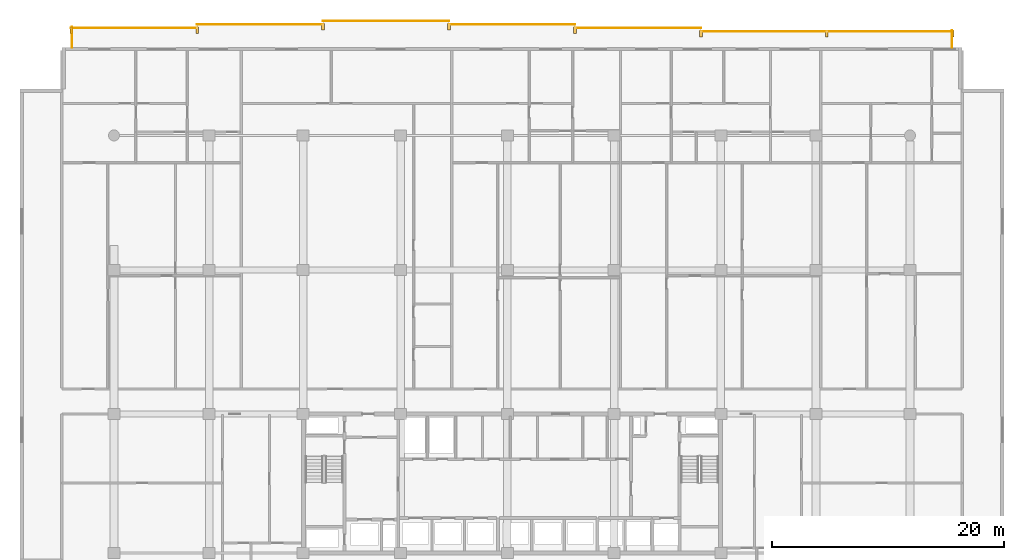
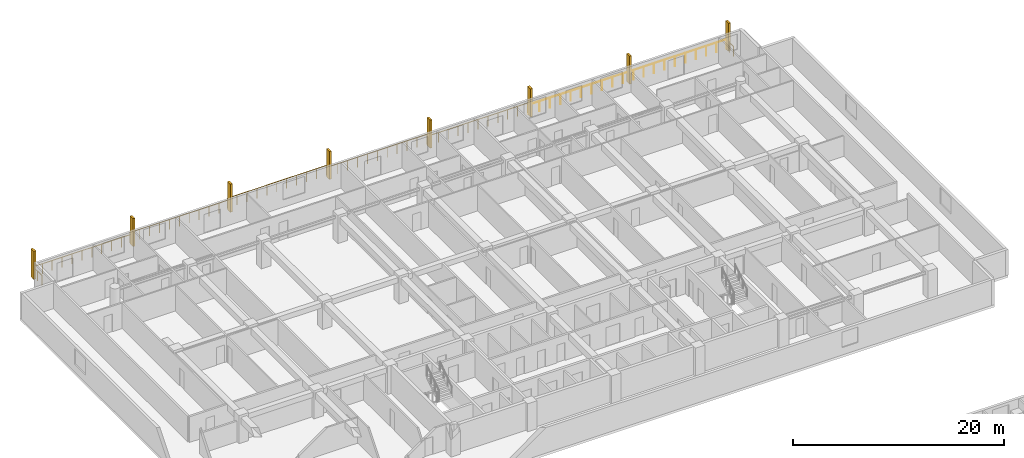
# One storey, part 23 of 23: 8 railings, 8 shading devices.
"""IFC4 building model written with IfcOpenShell, lengths in metres."""

from ifc_helpers import new_model, si_unit, direction, frame, origin, origin_2d, place, context, subcontext, project, spatial, rectangle, circle, extrude, material, type_object, element, save


model = new_model("IFC4")

# Units and contexts
model_context = context("Model", 3, precision=1e-05, world=origin(), true_north=direction((0.0, 1.0)))
body_context = subcontext(model_context, "Body", "Model", "MODEL_VIEW")
ifc_project = project(units=[si_unit("LENGTHUNIT", "METRE"), si_unit("AREAUNIT", "SQUARE_METRE"), si_unit("VOLUMEUNIT", "CUBIC_METRE"), si_unit("PLANEANGLEUNIT", "RADIAN"), si_unit("MASSUNIT", "GRAM", prefix="KILO")], contexts=[model_context])

# Site, building, storey
site_placement = place(None, origin())
site = spatial("IfcSite", under=ifc_project, at=site_placement, CompositionType="ELEMENT")
building_placement = place(site_placement, origin())
building = spatial("IfcBuilding", under=site, at=building_placement, Name="Korimba Cascade Residences", CompositionType="ELEMENT")
storey_placement = place(building_placement, frame((0.0, 0.0, 50.0)))
storey = spatial("IfcBuildingStorey", under=building, at=storey_placement, Name="L13", CompositionType="ELEMENT", Elevation=50.0)

# Railings
ifc_material_1 = material(Name="Laminated Glass and Bronze Balustrade", Category="glass")
railing_type = type_object("IfcRailingType", Name="RLG-LOG-1150", PredefinedType="BALUSTRADE", material=ifc_material_1)
railing_1_placement = place(storey_placement, frame((132.02001953125, 98.800048828125, 0.0)))
element("IfcRailing", 1, at=railing_1_placement, inside=storey, type_object=railing_type, Name="L13 Perimeter Guardrail RLG-L13-T1-LOG-01", PredefinedType="BALUSTRADE", context=body_context, shape_type="SweptSolid", body=[
    extrude(circle(Radius=0.02392578125, at=origin_2d()), frame((0.0, 0.0, 1.1259765625), z_axis=(0.0, 1.0, 0.0), x_axis=(-1.0, 0.0, 0.0)), (0.0, 0.0, 1.0), 1.449951171875),
    extrude(circle(Radius=0.02099609375, at=origin_2d()), origin(), (0.0, 0.0, 1.0), 1.101806640625),
    extrude(circle(Radius=0.02099609375, at=origin_2d()), frame((0.0, 0.72509765625, 0.0)), (0.0, 0.0, 1.0), 1.101806640625),
    extrude(circle(Radius=0.02099609375, at=origin_2d()), frame((0.0, 1.449951171875, 0.0)), (0.0, 0.0, 1.0), 1.101806640625),
])
railing_2_placement = place(storey_placement, frame((132.10009765625, 100.169921875, 0.0)))
element("IfcRailing", 2, at=railing_2_placement, inside=storey, type_object=railing_type, Name="L13 Perimeter Guardrail RLG-L13-T1-LOG-02", PredefinedType="BALUSTRADE", context=body_context, shape_type="SweptSolid", body=[
    extrude(circle(Radius=0.02392578125, at=origin_2d()), frame((0.0, 0.0, 1.1259765625), z_axis=(-1.0, 0.0, 0.0), x_axis=(0.0, -1.0, 0.0)), (0.0, 0.0, 1.0), 21.71435546875),
    extrude(circle(Radius=0.02099609375, at=origin_2d()), origin(), (0.0, 0.0, 1.0), 1.101806640625),
    extrude(circle(Radius=0.02099609375, at=origin_2d()), frame((-1.142822265625, 0.0, 0.0)), (0.0, 0.0, 1.0), 1.101806640625),
    extrude(circle(Radius=0.02099609375, at=origin_2d()), frame((-2.28564453125, 0.0, 0.0)), (0.0, 0.0, 1.0), 1.101806640625),
    extrude(circle(Radius=0.02099609375, at=origin_2d()), frame((-3.428466796875, 0.0, 0.0)), (0.0, 0.0, 1.0), 1.101806640625),
    extrude(circle(Radius=0.02099609375, at=origin_2d()), frame((-4.571533203125, 0.0, 0.0)), (0.0, 0.0, 1.0), 1.101806640625),
    extrude(circle(Radius=0.02099609375, at=origin_2d()), frame((-5.71435546875, 0.0, 0.0)), (0.0, 0.0, 1.0), 1.101806640625),
    extrude(circle(Radius=0.02099609375, at=origin_2d()), frame((-6.857177734375, 0.0, 0.0)), (0.0, 0.0, 1.0), 1.101806640625),
    extrude(circle(Radius=0.02099609375, at=origin_2d()), frame((-8.0, 0.0, 0.0)), (0.0, 0.0, 1.0), 1.101806640625),
    extrude(circle(Radius=0.02099609375, at=origin_2d()), frame((-9.142822265625, 0.0, 0.0)), (0.0, 0.0, 1.0), 1.101806640625),
    extrude(circle(Radius=0.02099609375, at=origin_2d()), frame((-10.28564453125, 0.0, 0.0)), (0.0, 0.0, 1.0), 1.101806640625),
    extrude(circle(Radius=0.02099609375, at=origin_2d()), frame((-11.4287109375, 0.0, 0.0)), (0.0, 0.0, 1.0), 1.101806640625),
    extrude(circle(Radius=0.02099609375, at=origin_2d()), frame((-12.571533203125, 0.0, 0.0)), (0.0, 0.0, 1.0), 1.101806640625),
    extrude(circle(Radius=0.02099609375, at=origin_2d()), frame((-13.71435546875, 0.0, 0.0)), (0.0, 0.0, 1.0), 1.101806640625),
    extrude(circle(Radius=0.02099609375, at=origin_2d()), frame((-14.857177734375, 0.0, 0.0)), (0.0, 0.0, 1.0), 1.101806640625),
    extrude(circle(Radius=0.02099609375, at=origin_2d()), frame((-16.0, 0.0, 0.0)), (0.0, 0.0, 1.0), 1.101806640625),
    extrude(circle(Radius=0.02099609375, at=origin_2d()), frame((-17.142822265625, 0.0, 0.0)), (0.0, 0.0, 1.0), 1.101806640625),
    extrude(circle(Radius=0.02099609375, at=origin_2d()), frame((-18.285888671875, 0.0, 0.0)), (0.0, 0.0, 1.0), 1.101806640625),
    extrude(circle(Radius=0.02099609375, at=origin_2d()), frame((-19.4287109375, 0.0, 0.0)), (0.0, 0.0, 1.0), 1.101806640625),
    extrude(circle(Radius=0.02099609375, at=origin_2d()), frame((-20.571533203125, 0.0, 0.0)), (0.0, 0.0, 1.0), 1.101806640625),
    extrude(circle(Radius=0.02099609375, at=origin_2d()), frame((-21.71435546875, 0.0, 0.0)), (0.0, 0.0, 1.0), 1.101806640625),
])
for number, where, name in (
    (3, (110.3857421875, 100.469970703125, 0.0), "L13 Perimeter Guardrail RLG-L13-T1-LOG-03"),
    (4, (99.528564453125, 100.77001953125, 0.0), "L13 Perimeter Guardrail RLG-L13-T1-LOG-04"),
    (5, (88.67138671875, 101.070068359375, 0.0), "L13 Perimeter Guardrail RLG-L13-T1-LOG-05"),
    (6, (77.814208984375, 100.77001953125, 0.0), "L13 Perimeter Guardrail RLG-L13-T1-LOG-06"),
):
    element("IfcRailing", number, at=place(storey_placement, frame(where)), inside=storey, type_object=railing_type, Name=name, PredefinedType="BALUSTRADE", context=body_context, shape_type="SweptSolid", body=[
        extrude(circle(Radius=0.02392578125, at=origin_2d()), frame((0.0, 0.0, 1.1259765625), z_axis=(-1.0, 0.0, 0.0), x_axis=(0.0, -1.0, 0.0)), (0.0, 0.0, 1.0), 10.857177734375),
        extrude(circle(Radius=0.02099609375, at=origin_2d()), origin(), (0.0, 0.0, 1.0), 1.101806640625),
        extrude(circle(Radius=0.02099609375, at=origin_2d()), frame((-1.085693359375, 0.0, 0.0)), (0.0, 0.0, 1.0), 1.101806640625),
        extrude(circle(Radius=0.02099609375, at=origin_2d()), frame((-2.17138671875, 0.0, 0.0)), (0.0, 0.0, 1.0), 1.101806640625),
        extrude(circle(Radius=0.02099609375, at=origin_2d()), frame((-3.257080078125, 0.0, 0.0)), (0.0, 0.0, 1.0), 1.101806640625),
        extrude(circle(Radius=0.02099609375, at=origin_2d()), frame((-4.3427734375, 0.0, 0.0)), (0.0, 0.0, 1.0), 1.101806640625),
        extrude(circle(Radius=0.02099609375, at=origin_2d()), frame((-5.4287109375, 0.0, 0.0)), (0.0, 0.0, 1.0), 1.101806640625),
        extrude(circle(Radius=0.02099609375, at=origin_2d()), frame((-6.514404296875, 0.0, 0.0)), (0.0, 0.0, 1.0), 1.101806640625),
        extrude(circle(Radius=0.02099609375, at=origin_2d()), frame((-7.60009765625, 0.0, 0.0)), (0.0, 0.0, 1.0), 1.101806640625),
        extrude(circle(Radius=0.02099609375, at=origin_2d()), frame((-8.685791015625, 0.0, 0.0)), (0.0, 0.0, 1.0), 1.101806640625),
        extrude(circle(Radius=0.02099609375, at=origin_2d()), frame((-9.771484375, 0.0, 0.0)), (0.0, 0.0, 1.0), 1.101806640625),
        extrude(circle(Radius=0.02099609375, at=origin_2d()), frame((-10.857177734375, 0.0, 0.0)), (0.0, 0.0, 1.0), 1.101806640625),
    ])
railing_3_placement = place(storey_placement, frame((66.95703125, 100.469970703125, 0.0)))
element("IfcRailing", 7, at=railing_3_placement, inside=storey, type_object=railing_type, Name="L13 Perimeter Guardrail RLG-L13-T1-LOG-07", PredefinedType="BALUSTRADE", context=body_context, shape_type="SweptSolid", body=[
    extrude(circle(Radius=0.02392578125, at=origin_2d()), frame((0.0, 0.0, 1.1259765625), z_axis=(-1.0, 0.0, 0.0), x_axis=(0.0, -1.0, 0.0)), (0.0, 0.0, 1.0), 10.85693359375),
    extrude(circle(Radius=0.02099609375, at=origin_2d()), origin(), (0.0, 0.0, 1.0), 1.101806640625),
    extrude(circle(Radius=0.02099609375, at=origin_2d()), frame((-1.085693359375, 0.0, 0.0)), (0.0, 0.0, 1.0), 1.101806640625),
    extrude(circle(Radius=0.02099609375, at=origin_2d()), frame((-2.17138671875, 0.0, 0.0)), (0.0, 0.0, 1.0), 1.101806640625),
    extrude(circle(Radius=0.02099609375, at=origin_2d()), frame((-3.257080078125, 0.0, 0.0)), (0.0, 0.0, 1.0), 1.101806640625),
    extrude(circle(Radius=0.02099609375, at=origin_2d()), frame((-4.3427734375, 0.0, 0.0)), (0.0, 0.0, 1.0), 1.101806640625),
    extrude(circle(Radius=0.02099609375, at=origin_2d()), frame((-5.428466796875, 0.0, 0.0)), (0.0, 0.0, 1.0), 1.101806640625),
    extrude(circle(Radius=0.02099609375, at=origin_2d()), frame((-6.51416015625, 0.0, 0.0)), (0.0, 0.0, 1.0), 1.101806640625),
    extrude(circle(Radius=0.02099609375, at=origin_2d()), frame((-7.599853515625, 0.0, 0.0)), (0.0, 0.0, 1.0), 1.101806640625),
    extrude(circle(Radius=0.02099609375, at=origin_2d()), frame((-8.685546875, 0.0, 0.0)), (0.0, 0.0, 1.0), 1.101806640625),
    extrude(circle(Radius=0.02099609375, at=origin_2d()), frame((-9.771240234375, 0.0, 0.0)), (0.0, 0.0, 1.0), 1.101806640625),
    extrude(circle(Radius=0.02099609375, at=origin_2d()), frame((-10.85693359375, 0.0, 0.0)), (0.0, 0.0, 1.0), 1.101806640625),
])
railing_4_placement = place(storey_placement, frame((56.179931640625, 100.550048828125, 0.0)))
element("IfcRailing", 8, at=railing_4_placement, inside=storey, type_object=railing_type, Name="L13 Perimeter Guardrail RLG-L13-T1-LOG-08", PredefinedType="BALUSTRADE", context=body_context, shape_type="SweptSolid", body=[
    extrude(circle(Radius=0.02392578125, at=origin_2d()), frame((0.0, 0.0, 1.1259765625), z_axis=(0.0, -1.0, 0.0), x_axis=(1.0, 0.0, 0.0)), (0.0, 0.0, 1.0), 1.75),
    extrude(circle(Radius=0.02099609375, at=origin_2d()), origin(), (0.0, 0.0, 1.0), 1.101806640625),
    extrude(circle(Radius=0.02099609375, at=origin_2d()), frame((0.0, -0.875, 0.0)), (0.0, 0.0, 1.0), 1.101806640625),
    extrude(circle(Radius=0.02099609375, at=origin_2d()), frame((0.0, -1.75, 0.0)), (0.0, 0.0, 1.0), 1.101806640625),
])

# Shading devices
ifc_material_2 = material(Name="Honed Sandstone Precast Fin", Category="masonry")
shading_device_type = type_object("IfcShadingDeviceType", Name="SHD-FIN-550", PredefinedType="USERDEFINED", material=ifc_material_2)
for number, where, z_axis, x_axis, name in (
    (9, (56.10009765625, 100.27490234375, 0.0), (0.0, 0.0, 1.0), (1.0, 0.0, 0.0), "L13 T1 Warm-Stone Loggia Fin 1"),
    (10, (66.95703125, 100.27490234375, 0.0), (0.0, 0.0, 1.0), (1.0, 0.0, 0.0), "L13 T1 Warm-Stone Loggia Fin 2"),
    (11, (77.814208984375, 100.574951171875, 0.0), (0.0, 0.0, 1.0), (1.0, 0.0, 0.0), "L13 T1 Warm-Stone Loggia Fin 3"),
    (12, (88.67138671875, 100.574951171875, 0.0), (0.0, 0.0, 1.0), (1.0, 0.0, 0.0), "L13 T1 Warm-Stone Loggia Fin 4"),
    (13, (99.528564453125, 100.27490234375, 0.0), (0.0, 0.0, 1.0), (1.0, 0.0, 0.0), "L13 T1 Warm-Stone Loggia Fin 5"),
    (14, (110.3857421875, 99.97509765625, 0.0), (0.0, 0.0, 1.0), (1.0, 0.0, 0.0), "L13 T1 Warm-Stone Loggia Fin 6"),
    (15, (121.242919921875, 99.97509765625, 0.0), (0.0, 0.0, 1.0), (1.0, 0.0, 0.0), "L13 T1 Warm-Stone Loggia Fin 7"),
    (16, (132.10009765625, 99.97509765625, 0.0), (0.0, 0.0, 1.0), (1.0, 0.0, 0.0), "L13 T1 Warm-Stone Loggia Fin 8"),
):
    element("IfcShadingDevice", number, at=place(storey_placement, frame(where, z_axis=z_axis, x_axis=x_axis)), inside=storey, type_object=shading_device_type, Name=name, ObjectType="FIN", PredefinedType="USERDEFINED", context=body_context, shape_type="SweptSolid", body=[
        extrude(rectangle(XDim=0.219970703125, YDim=0.550048828125, at=origin_2d()), origin(), (0.0, 0.0, 1.0), 3.25),
    ])

save(model, "model.ifc")
